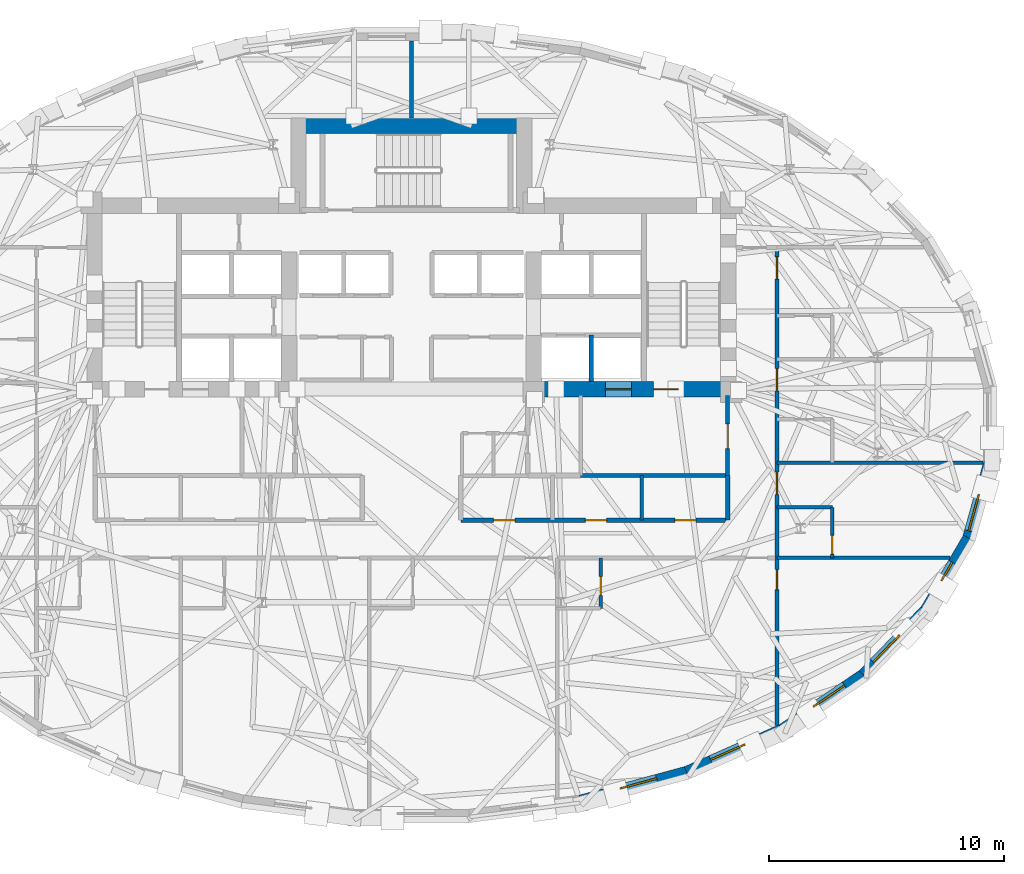
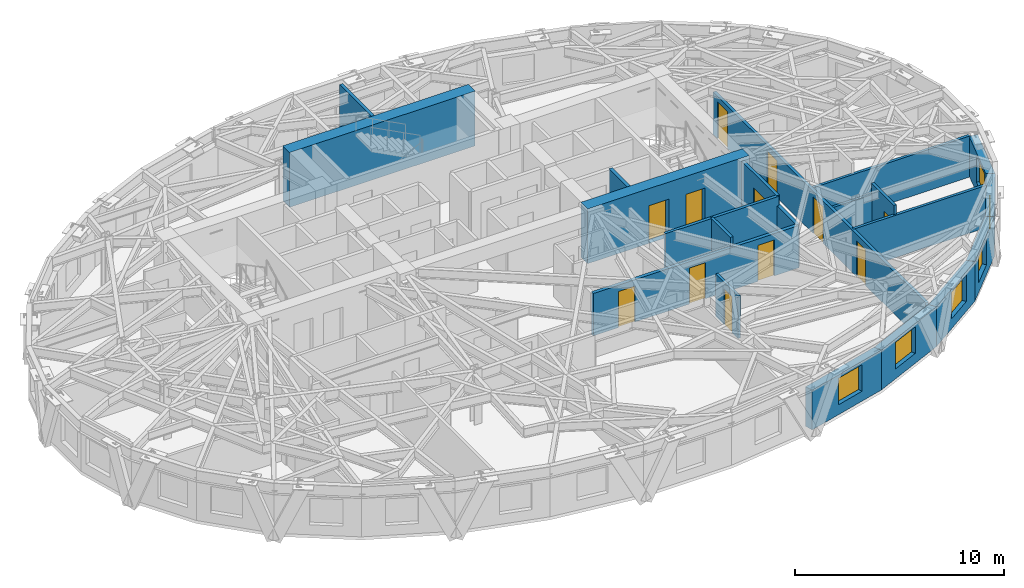
# One storey, part 9 of 15: 21 walls, 12 doors, 6 windows, 18 openings.
"""IFC4 building model written with IfcOpenShell, lengths in metres."""

from ifc_helpers import new_model, si_unit, direction, frame, frame_2d, origin, place, context, subcontext, project, spatial, rectangle, extrude, material, layer, layer_set, type_object, element, fill, save


model = new_model("IFC4")

# Units and contexts
model_context = context("Model", 3, precision=1e-05, world=origin(), true_north=direction((0.0, 1.0)))
body_context = subcontext(model_context, "Body", "Model", "MODEL_VIEW")
ifc_project = project(units=[si_unit("LENGTHUNIT", "METRE"), si_unit("AREAUNIT", "SQUARE_METRE"), si_unit("VOLUMEUNIT", "CUBIC_METRE"), si_unit("PLANEANGLEUNIT", "RADIAN"), si_unit("MASSUNIT", "GRAM", prefix="KILO")], contexts=[model_context])

# Site, building, storey
site_placement = place(None, origin())
site = spatial("IfcSite", under=ifc_project, at=site_placement, CompositionType="ELEMENT")
building_placement = place(site_placement, origin())
building = spatial("IfcBuilding", under=site, at=building_placement, Name="Keldmark Tower", CompositionType="ELEMENT")
storey_placement = place(building_placement, frame((0.0, 0.0, 166.199951171875)))
storey = spatial("IfcBuildingStorey", under=building, at=storey_placement, Name="L45", CompositionType="ELEMENT", Elevation=166.199951171875)

# Wall, openings, doors
ifc_material_1 = material(Name="Heavy Acoustic Plumbing Chase Gypsum Assembly", Category="gypsum")
ifc_layer_1 = layer(ifc_material_1, 0.18994140625)
ifc_layer_set_1 = layer_set([ifc_layer_1], Name="Heavy Acoustic Plumbing Chase Gypsum Assembly")
wall_type_1 = type_object("IfcWallType", Name="Heavy Wet Wall 190 mm", PredefinedType="PLUMBINGWALL", material=ifc_layer_set_1)
wall_1_placement = place(storey_placement, frame((2.10009765625, -4.050048828125, 0.0), z_axis=(0.0, 0.0, 1.0), x_axis=(1.0, 0.0, 0.0)))
wall_1 = element("IfcWall", 1, at=wall_1_placement, inside=storey, type_object=wall_type_1, Name="L45 Heavy Wet Wall 190 mm SPK-E-S", PredefinedType="PLUMBINGWALL", context=body_context, shape_type="SweptSolid", body=[
    extrude(rectangle(XDim=11.349853515625, YDim=0.18994140625, at=frame_2d((5.6748046875, 0.0))), origin(), (0.0, 0.0, 1.0), 2.47314453125),
])
opening_1_placement = place(wall_1_placement, frame((1.39990234375, 0.0, 0.0)))
opening_1 = element("IfcOpeningElement", 2, at=opening_1_placement, cuts=wall_1, Name="Opening D-IN090", PredefinedType="OPENING", context=body_context, shape_type="SweptSolid", body=[
    extrude(rectangle(XDim=0.89990234375, YDim=2.10009765625, at=frame_2d((0.449951171875, 1.050048828125))), frame((0.0, 0.10498046875, 0.0), z_axis=(0.0, -1.0, 0.0), x_axis=(1.0, 0.0, 0.0)), (0.0, 0.0, 1.0), 0.2099609375),
])
opening_2_placement = place(wall_1_placement, frame((5.300048828125, 0.0, 0.0)))
opening_2 = element("IfcOpeningElement", 3, at=opening_2_placement, cuts=wall_1, Name="Opening D-IN090", PredefinedType="OPENING", context=body_context, shape_type="SweptSolid", body=[
    extrude(rectangle(XDim=0.89990234375, YDim=2.10009765625, at=frame_2d((0.449951171875, 1.050048828125))), frame((0.0, 0.10498046875, 0.0), z_axis=(0.0, -1.0, 0.0), x_axis=(1.0, 0.0, 0.0)), (0.0, 0.0, 1.0), 0.2099609375),
])
opening_3_placement = place(wall_1_placement, frame((9.10009765625, 0.0, 0.0)))
opening_3 = element("IfcOpeningElement", 4, at=opening_3_placement, cuts=wall_1, Name="Opening D-IN090", PredefinedType="OPENING", context=body_context, shape_type="SweptSolid", body=[
    extrude(rectangle(XDim=0.89990234375, YDim=2.10009765625, at=frame_2d((0.449951171875, 1.050048828125))), frame((0.0, 0.10498046875, 0.0), z_axis=(0.0, -1.0, 0.0), x_axis=(1.0, 0.0, 0.0)), (0.0, 0.0, 1.0), 0.2099609375),
])
ifc_material_2 = material(Name="Stained American White Oak Veneer", Category="wood")
door_type_1 = type_object("IfcDoorType", Name="Interior Door 900x2100", OperationType="NOTDEFINED", PredefinedType="DOOR", material=ifc_material_2)
door_1_placement = place(opening_1_placement, origin())
door_1 = element("IfcDoor", 5, at=door_1_placement, inside=storey, type_object=door_type_1, Name="L45 Interior Door 900x2100 D-SPKE1-L45", OperationType="SINGLE_SWING_RIGHT", OverallHeight=2.10009765625, OverallWidth=0.89990234375, PredefinedType="DOOR", context=body_context, shape_type="SweptSolid", body=[
    extrude(rectangle(XDim=0.89990234375, YDim=2.10009765625, at=frame_2d((0.449951171875, 1.050048828125))), frame((0.0, 0.02490234375, 0.0), z_axis=(0.0, -1.0, 0.0), x_axis=(1.0, 0.0, 0.0)), (0.0, 0.0, 1.0), 0.050048828125),
])
fill(opening_1, door_1)
door_2_placement = place(opening_2_placement, origin())
door_2 = element("IfcDoor", 6, at=door_2_placement, inside=storey, type_object=door_type_1, Name="L45 Interior Door 900x2100 D-SPKE2-L45", OperationType="SINGLE_SWING_LEFT", OverallHeight=2.10009765625, OverallWidth=0.89990234375, PredefinedType="DOOR", context=body_context, shape_type="SweptSolid", body=[
    extrude(rectangle(XDim=0.89990234375, YDim=2.10009765625, at=frame_2d((0.449951171875, 1.050048828125))), frame((0.0, 0.02490234375, 0.0), z_axis=(0.0, -1.0, 0.0), x_axis=(1.0, 0.0, 0.0)), (0.0, 0.0, 1.0), 0.050048828125),
])
fill(opening_2, door_2)
door_3_placement = place(opening_3_placement, origin())
door_3 = element("IfcDoor", 7, at=door_3_placement, inside=storey, type_object=door_type_1, Name="L45 Interior Door 900x2100 D-SPKE3-L45", OperationType="SINGLE_SWING_RIGHT", OverallHeight=2.10009765625, OverallWidth=0.89990234375, PredefinedType="DOOR", context=body_context, shape_type="SweptSolid", body=[
    extrude(rectangle(XDim=0.89990234375, YDim=2.10009765625, at=frame_2d((0.449951171875, 1.050048828125))), frame((0.0, 0.02490234375, 0.0), z_axis=(0.0, -1.0, 0.0), x_axis=(1.0, 0.0, 0.0)), (0.0, 0.0, 1.0), 0.050048828125),
])
fill(opening_3, door_3)

# Walls
wall_2_placement = place(storey_placement, frame((13.449951171875, -4.050048828125, 0.0), z_axis=(0.0, 0.0, 1.0), x_axis=(0.0, 1.0, 0.0)))
element("IfcWall", 8, at=wall_2_placement, inside=storey, type_object=wall_type_1, Name="L45 Heavy Wet Wall 190 mm SPK-E-E", PredefinedType="PLUMBINGWALL", context=body_context, shape_type="SweptSolid", body=[
    extrude(rectangle(XDim=1.900146484375, YDim=0.18994140625, at=frame_2d((0.9501953125, 0.0))), origin(), (0.0, 0.0, 1.0), 2.47314453125),
])
ifc_material_3 = material(Name="Type X Fire-Rated Gypsum Partition Assembly", Category="gypsum")
ifc_layer_2 = layer(ifc_material_3, 0.1650390625)
ifc_layer_set_2 = layer_set([ifc_layer_2], Name="Type X Fire-Rated Gypsum Partition Assembly")
wall_type_2 = type_object("IfcWallType", Name="Rated Partition 165 mm", PredefinedType="PARTITIONING", material=ifc_layer_set_2)
wall_3_placement = place(storey_placement, frame((7.199951171875, -2.14990234375, 0.0), z_axis=(0.0, 0.0, 1.0), x_axis=(1.0, 0.0, 0.0)))
element("IfcWall", 9, at=wall_3_placement, inside=storey, type_object=wall_type_2, Name="L45 Rated Partition 165 mm FSAE-E-S", PredefinedType="PARTITIONING", context=body_context, shape_type="SweptSolid", body=[
    extrude(rectangle(XDim=6.25, YDim=0.1650390625, at=frame_2d((3.125, 0.0))), origin(), (0.0, 0.0, 1.0), 3.02001953125),
])

# Wall, opening, door
wall_4_placement = place(storey_placement, frame((13.449951171875, -2.14990234375, 0.0), z_axis=(0.0, 0.0, 1.0), x_axis=(0.0, 1.0, 0.0)))
wall_4 = element("IfcWall", 10, at=wall_4_placement, inside=storey, type_object=wall_type_2, Name="L45 Rated Partition 165 mm FSAE-E-E", PredefinedType="PARTITIONING", context=body_context, shape_type="SweptSolid", body=[
    extrude(rectangle(XDim=3.39990234375, YDim=0.1650390625, at=frame_2d((1.699951171875, 0.0))), origin(), (0.0, 0.0, 1.0), 3.02001953125),
])
opening_4_placement = place(wall_4_placement, frame((1.14990234375, 0.0, 0.0)))
opening_4 = element("IfcOpeningElement", 11, at=opening_4_placement, cuts=wall_4, Name="Opening D-FL105", PredefinedType="OPENING", context=body_context, shape_type="SweptSolid", body=[
    extrude(rectangle(XDim=1.050048828125, YDim=2.14990234375, at=frame_2d((0.52490234375, 1.074951171875))), frame((0.0, 0.092529296875, 0.0), z_axis=(0.0, -1.0, 0.0), x_axis=(1.0, 0.0, 0.0)), (0.0, 0.0, 1.0), 0.18505859375),
])
ifc_material_4 = material(Name="Fire-Rated Mineral-Core Door and Vision Lite", Category="metal")
door_type_2 = type_object("IfcDoorType", Name="Fire Lobby Door 1050x2150", OperationType="NOTDEFINED", PredefinedType="DOOR", material=ifc_material_4)
door_4_placement = place(opening_4_placement, origin())
door_4 = element("IfcDoor", 12, at=door_4_placement, inside=storey, type_object=door_type_2, Name="L45 Fire Lobby Door 1050x2150 D-FSAEE-OUT-L45", OperationType="SINGLE_SWING_LEFT", OverallHeight=2.14990234375, OverallWidth=1.050048828125, PredefinedType="DOOR", context=body_context, shape_type="SweptSolid", body=[
    extrude(rectangle(XDim=1.050048828125, YDim=2.14990234375, at=frame_2d((0.52490234375, 1.074951171875))), frame((0.0, 0.02490234375, 0.0), z_axis=(0.0, -1.0, 0.0), x_axis=(1.0, 0.0, 0.0)), (0.0, 0.0, 1.0), 0.050048828125),
])
fill(opening_4, door_4)

# Wall, openings, doors
wall_5_placement = place(storey_placement, frame((15.550048828125, -12.77294921875, 0.0), z_axis=(0.0, 0.0, 1.0), x_axis=(0.0, 1.0, 0.0)))
wall_5 = element("IfcWall", 13, at=wall_5_placement, inside=storey, type_object=wall_type_2, Name="L45 Rated Partition 165 mm HCOR-E", PredefinedType="PARTITIONING", context=body_context, shape_type="SweptSolid", body=[
    extrude(rectangle(XDim=20.322998046875, YDim=0.1650390625, at=frame_2d((10.16162109375, 0.0))), origin(), (0.0, 0.0, 1.0), 2.47314453125),
])
opening_5_placement = place(wall_5_placement, frame((5.773193359375, 0.0, 0.0)))
opening_5 = element("IfcOpeningElement", 14, at=opening_5_placement, cuts=wall_5, Name="Opening D-IN085", PredefinedType="OPENING", context=body_context, shape_type="SweptSolid", body=[
    extrude(rectangle(XDim=0.85009765625, YDim=2.10009765625, at=frame_2d((0.425048828125, 1.050048828125))), frame((0.0, 0.092529296875, 0.0), z_axis=(0.0, -1.0, 0.0), x_axis=(1.0, 0.0, 0.0)), (0.0, 0.0, 1.0), 0.18505859375),
])
opening_6_placement = place(wall_5_placement, frame((9.8232421875, 0.0, 0.0)))
opening_6 = element("IfcOpeningElement", 15, at=opening_6_placement, cuts=wall_5, Name="Opening D-HT095", PredefinedType="OPENING", context=body_context, shape_type="SweptSolid", body=[
    extrude(rectangle(XDim=0.949951171875, YDim=2.14990234375, at=frame_2d((0.47509765625, 1.074951171875))), frame((0.0, 0.092529296875, 0.0), z_axis=(0.0, -1.0, 0.0), x_axis=(1.0, 0.0, 0.0)), (0.0, 0.0, 1.0), 0.18505859375),
])
opening_7_placement = place(wall_5_placement, frame((14.22314453125, 0.0, 0.0)))
opening_7 = element("IfcOpeningElement", 16, at=opening_7_placement, cuts=wall_5, Name="Opening D-HT095", PredefinedType="OPENING", context=body_context, shape_type="SweptSolid", body=[
    extrude(rectangle(XDim=0.949951171875, YDim=2.14990234375, at=frame_2d((0.47509765625, 1.074951171875))), frame((0.0, 0.092529296875, 0.0), z_axis=(0.0, -1.0, 0.0), x_axis=(1.0, 0.0, 0.0)), (0.0, 0.0, 1.0), 0.18505859375),
])
opening_8_placement = place(wall_5_placement, frame((18.97314453125, 0.0, 0.0)))
opening_8 = element("IfcOpeningElement", 17, at=opening_8_placement, cuts=wall_5, Name="Opening D-HT095", PredefinedType="OPENING", context=body_context, shape_type="SweptSolid", body=[
    extrude(rectangle(XDim=0.949951171875, YDim=2.14990234375, at=frame_2d((0.47509765625, 1.074951171875))), frame((0.0, 0.092529296875, 0.0), z_axis=(0.0, -1.0, 0.0), x_axis=(1.0, 0.0, 0.0)), (0.0, 0.0, 1.0), 0.18505859375),
])
ifc_material_5 = material(Name="Solid-Core Acoustic White Oak Fire-Rated Assembly", Category="wood")
door_type_3 = type_object("IfcDoorType", Name="Hotel Entry Door 950x2150", OperationType="NOTDEFINED", PredefinedType="DOOR", material=ifc_material_5)
door_5_placement = place(opening_6_placement, origin())
door_5 = element("IfcDoor", 18, at=door_5_placement, inside=storey, type_object=door_type_3, Name="L45 Hotel Entry Door 950x2150 D-HR-7-L45", OperationType="SINGLE_SWING_LEFT", OverallHeight=2.14990234375, OverallWidth=0.949951171875, PredefinedType="DOOR", context=body_context, shape_type="SweptSolid", body=[
    extrude(rectangle(XDim=0.949951171875, YDim=2.14990234375, at=frame_2d((0.47509765625, 1.074951171875))), frame((0.0, 0.02490234375, 0.0), z_axis=(0.0, -1.0, 0.0), x_axis=(1.0, 0.0, 0.0)), (0.0, 0.0, 1.0), 0.050048828125),
])
fill(opening_6, door_5)
door_6_placement = place(opening_7_placement, origin())
door_6 = element("IfcDoor", 19, at=door_6_placement, inside=storey, type_object=door_type_3, Name="L45 Hotel Entry Door 950x2150 D-HR-8-L45", OperationType="SINGLE_SWING_LEFT", OverallHeight=2.14990234375, OverallWidth=0.949951171875, PredefinedType="DOOR", context=body_context, shape_type="SweptSolid", body=[
    extrude(rectangle(XDim=0.949951171875, YDim=2.14990234375, at=frame_2d((0.47509765625, 1.074951171875))), frame((0.0, 0.02490234375, 0.0), z_axis=(0.0, -1.0, 0.0), x_axis=(1.0, 0.0, 0.0)), (0.0, 0.0, 1.0), 0.050048828125),
])
fill(opening_7, door_6)
door_7_placement = place(opening_8_placement, origin())
door_7 = element("IfcDoor", 20, at=door_7_placement, inside=storey, type_object=door_type_3, Name="L45 Hotel Entry Door 950x2150 D-HR-9-L45", OperationType="SINGLE_SWING_LEFT", OverallHeight=2.14990234375, OverallWidth=0.949951171875, PredefinedType="DOOR", context=body_context, shape_type="SweptSolid", body=[
    extrude(rectangle(XDim=0.949951171875, YDim=2.14990234375, at=frame_2d((0.47509765625, 1.074951171875))), frame((0.0, 0.02490234375, 0.0), z_axis=(0.0, -1.0, 0.0), x_axis=(1.0, 0.0, 0.0)), (0.0, 0.0, 1.0), 0.050048828125),
])
fill(opening_8, door_7)
ifc_material_6 = material(Name="Painted Architectural Wood", Category="wood")
door_type_4 = type_object("IfcDoorType", Name="Interior Door 850x2100", OperationType="NOTDEFINED", PredefinedType="DOOR", material=ifc_material_6)
door_8_placement = place(opening_5_placement, origin())
door_8 = element("IfcDoor", 21, at=door_8_placement, inside=storey, type_object=door_type_4, Name="L45 Interior Door 850x2100 D-HKSE-L45", OperationType="SINGLE_SWING_RIGHT", OverallHeight=2.10009765625, OverallWidth=0.85009765625, PredefinedType="DOOR", context=body_context, shape_type="SweptSolid", body=[
    extrude(rectangle(XDim=0.85009765625, YDim=2.10009765625, at=frame_2d((0.425048828125, 1.050048828125))), frame((0.0, 0.02490234375, 0.0), z_axis=(0.0, -1.0, 0.0), x_axis=(1.0, 0.0, 0.0)), (0.0, 0.0, 1.0), 0.050048828125),
])
fill(opening_5, door_8)

# Walls
wall_6_placement = place(storey_placement, frame((0.0, 13.050048828125, 0.0), z_axis=(0.0, 0.0, 1.0), x_axis=(0.0, 1.0, 0.0)))
element("IfcWall", 22, at=wall_6_placement, inside=storey, type_object=wall_type_2, Name="L45 Rated Partition 165 mm HN-DIV", PredefinedType="PARTITIONING", context=body_context, shape_type="SweptSolid", body=[
    extrude(rectangle(XDim=3.2900390625, YDim=0.1650390625, at=frame_2d((1.64501953125, 0.0))), origin(), (0.0, 0.0, 1.0), 3.02001953125),
])
ifc_material_7 = material(Name="Fire-Resistant Type X Gypsum Shaftliner Coreboard", Category="gypsum")
ifc_layer_3 = layer(ifc_material_7, 0.199951171875)
ifc_layer_set_3 = layer_set([ifc_layer_3], Name="Fire-Resistant Type X Gypsum Shaftliner Coreboard")
wall_type_3 = type_object("IfcWallType", Name="Shaft Wall 200 mm", PredefinedType="SOLIDWALL", material=ifc_layer_set_3)
wall_7_placement = place(storey_placement, frame((7.64990234375, 1.85009765625, 0.0), z_axis=(0.0, 0.0, 1.0), x_axis=(0.0, 1.0, 0.0)))
element("IfcWall", 23, at=wall_7_placement, inside=storey, type_object=wall_type_3, Name="L45 Shaft Wall 200 mm HW-E-M", PredefinedType="SOLIDWALL", context=body_context, shape_type="SweptSolid", body=[
    extrude(rectangle(XDim=1.969970703125, YDim=0.199951171875, at=frame_2d((0.98486328125, 0.0))), origin(), (0.0, 0.0, 1.0), 3.02001953125),
])

# Wall, opening, window
ifc_material_8 = material(Name="Ironspot Manganese Brick and Kasota Buff Limestone Spandrel Assembly", Category="masonry")
ifc_layer_4 = layer(ifc_material_8, 0.43994140625)
ifc_layer_set_4 = layer_set([ifc_layer_4], Name="Ironspot Manganese Brick and Kasota Buff Limestone Spandrel Assembly")
wall_type_4 = type_object("IfcWallType", Name="Tower Brick Pier and Spandrel Wall 440 mm", PredefinedType="STANDARD", material=ifc_layer_set_4)
wall_8_placement = place(storey_placement, frame((11.72119140625, -14.725830078125, 0.0), z_axis=(0.0, 0.0, 1.0), x_axis=(-0.965037424263, -0.262112132058, 0.0)))
wall_8 = element("IfcWall", 24, at=wall_8_placement, inside=storey, type_object=wall_type_4, Name="L45 Exterior Brick and Spandrel Wall 26", PredefinedType="STANDARD", context=body_context, shape_type="SweptSolid", body=[
    extrude(rectangle(XDim=4.70654296875, YDim=0.43994140625, at=frame_2d((2.353271484375, 0.0))), origin(), (0.0, 0.0, 1.0), 2.31494140625),
])
opening_9_placement = place(wall_8_placement, frame((1.331787109375, 0.0, 0.580078125)))
opening_9 = element("IfcOpeningElement", 25, at=opening_9_placement, cuts=wall_8, Name="Opening W-04", PredefinedType="OPENING", context=body_context, shape_type="SweptSolid", body=[
    extrude(rectangle(XDim=1.60009765625, YDim=1.550048828125, at=frame_2d((0.800048828125, 0.77490234375))), frame((0.0, 0.22998046875, 0.0), z_axis=(0.0, -1.0, 0.0), x_axis=(1.0, 0.0, 0.0)), (0.0, 0.0, 1.0), 0.4599609375),
])
ifc_material_9 = material(Name="Thermally Broken Anodized Aluminum and Triple Low-E Argon Glazing", Category="aluminium")
window_type_1 = type_object("IfcWindowType", Name="Hotel Deep-Set Operable Window 1600x1550", PartitioningType="DOUBLE_PANEL_HORIZONTAL", PredefinedType="WINDOW", material=ifc_material_9)
window_1_placement = place(opening_9_placement, origin())
window_1 = element("IfcWindow", 26, at=window_1_placement, inside=storey, type_object=window_type_1, Name="L45 Deep-Set Window 26", OverallHeight=1.550048828125, OverallWidth=1.60009765625, PartitioningType="SINGLE_PANEL", PredefinedType="WINDOW", context=body_context, shape_type="SweptSolid", body=[
    extrude(rectangle(XDim=1.60009765625, YDim=1.550048828125, at=frame_2d((0.800048828125, 0.77490234375))), frame((0.0, -0.010009765625, 0.0), z_axis=(0.0, -1.0, 0.0), x_axis=(1.0, 0.0, 0.0)), (0.0, 0.0, 1.0), 0.06005859375),
])
fill(opening_9, window_1)

wall_9_placement = place(storey_placement, frame((15.790771484375, -12.91552734375, 0.0), z_axis=(0.0, 0.0, 1.0), x_axis=(-0.913907994914, -0.405921392431, 0.0)))
wall_9 = element("IfcWall", 27, at=wall_9_placement, inside=storey, type_object=wall_type_4, Name="L45 Exterior Brick and Spandrel Wall 27", PredefinedType="STANDARD", context=body_context, shape_type="SweptSolid", body=[
    extrude(rectangle(XDim=4.4873046875, YDim=0.43994140625, at=frame_2d((2.24365234375, 0.0))), origin(), (0.0, 0.0, 1.0), 2.31494140625),
])
opening_10_placement = place(wall_9_placement, frame((1.7421875, 0.0, 0.580078125)))
opening_10 = element("IfcOpeningElement", 28, at=opening_10_placement, cuts=wall_9, Name="Opening W-04", PredefinedType="OPENING", context=body_context, shape_type="SweptSolid", body=[
    extrude(rectangle(XDim=1.60009765625, YDim=1.550048828125, at=frame_2d((0.800048828125, 0.77490234375))), frame((0.0, 0.22998046875, 0.0), z_axis=(0.0, -1.0, 0.0), x_axis=(1.0, 0.0, 0.0)), (0.0, 0.0, 1.0), 0.4599609375),
])
window_2_placement = place(opening_10_placement, origin())
window_2 = element("IfcWindow", 29, at=window_2_placement, inside=storey, type_object=window_type_1, Name="L45 Deep-Set Window 27", OverallHeight=1.550048828125, OverallWidth=1.60009765625, PartitioningType="SINGLE_PANEL", PredefinedType="WINDOW", context=body_context, shape_type="SweptSolid", body=[
    extrude(rectangle(XDim=1.60009765625, YDim=1.550048828125, at=frame_2d((0.800048828125, 0.77490234375))), frame((0.0, -0.010009765625, 0.0), z_axis=(0.0, -1.0, 0.0), x_axis=(1.0, 0.0, 0.0)), (0.0, 0.0, 1.0), 0.06005859375),
])
fill(opening_10, window_2)

wall_10_placement = place(storey_placement, frame((19.2265625, -10.58251953125, 0.0), z_axis=(0.0, 0.0, 1.0), x_axis=(-0.827760762475, -0.561081206338, 0.0)))
wall_10 = element("IfcWall", 30, at=wall_10_placement, inside=storey, type_object=wall_type_4, Name="L45 Exterior Brick and Spandrel Wall 28", PredefinedType="STANDARD", context=body_context, shape_type="SweptSolid", body=[
    extrude(rectangle(XDim=4.19189453125, YDim=0.43994140625, at=frame_2d((2.095947265625, 0.0))), origin(), (0.0, 0.0, 1.0), 2.31494140625),
])
opening_11_placement = place(wall_10_placement, frame((0.947265625, 0.0, 0.580078125)))
opening_11 = element("IfcOpeningElement", 31, at=opening_11_placement, cuts=wall_10, Name="Opening W-04", PredefinedType="OPENING", context=body_context, shape_type="SweptSolid", body=[
    extrude(rectangle(XDim=1.60009765625, YDim=1.550048828125, at=frame_2d((0.800048828125, 0.77490234375))), frame((0.0, 0.22998046875, 0.0), z_axis=(0.0, -1.0, 0.0), x_axis=(1.0, 0.0, 0.0)), (0.0, 0.0, 1.0), 0.4599609375),
])
window_3_placement = place(opening_11_placement, origin())
window_3 = element("IfcWindow", 32, at=window_3_placement, inside=storey, type_object=window_type_1, Name="L45 Deep-Set Window 28", OverallHeight=1.550048828125, OverallWidth=1.60009765625, PartitioningType="SINGLE_PANEL", PredefinedType="WINDOW", context=body_context, shape_type="SweptSolid", body=[
    extrude(rectangle(XDim=1.60009765625, YDim=1.550048828125, at=frame_2d((0.800048828125, 0.77490234375))), frame((0.0, -0.010009765625, 0.0), z_axis=(0.0, -1.0, 0.0), x_axis=(1.0, 0.0, 0.0)), (0.0, 0.0, 1.0), 0.06005859375),
])
fill(opening_11, window_3)

wall_11_placement = place(storey_placement, frame((21.878662109375, -7.831787109375, 0.0), z_axis=(0.0, 0.0, 1.0), x_axis=(-0.694975307772, -0.719033602544, 0.0)))
wall_11 = element("IfcWall", 33, at=wall_11_placement, inside=storey, type_object=wall_type_4, Name="L45 Exterior Brick and Spandrel Wall 29", PredefinedType="STANDARD", context=body_context, shape_type="SweptSolid", body=[
    extrude(rectangle(XDim=3.866455078125, YDim=0.43994140625, at=frame_2d((1.93310546875, 0.0))), origin(), (0.0, 0.0, 1.0), 2.31494140625),
])
opening_12_placement = place(wall_11_placement, frame((1.5751953125, 0.0, 0.580078125)))
opening_12 = element("IfcOpeningElement", 34, at=opening_12_placement, cuts=wall_11, Name="Opening W-04", PredefinedType="OPENING", context=body_context, shape_type="SweptSolid", body=[
    extrude(rectangle(XDim=1.60009765625, YDim=1.550048828125, at=frame_2d((0.800048828125, 0.77490234375))), frame((0.0, 0.22998046875, 0.0), z_axis=(0.0, -1.0, 0.0), x_axis=(1.0, 0.0, 0.0)), (0.0, 0.0, 1.0), 0.4599609375),
])
window_4_placement = place(opening_12_placement, origin())
window_4 = element("IfcWindow", 35, at=window_4_placement, inside=storey, type_object=window_type_1, Name="L45 Deep-Set Window 29", OverallHeight=1.550048828125, OverallWidth=1.60009765625, PartitioningType="SINGLE_PANEL", PredefinedType="WINDOW", context=body_context, shape_type="SweptSolid", body=[
    extrude(rectangle(XDim=1.60009765625, YDim=1.550048828125, at=frame_2d((0.800048828125, 0.77490234375))), frame((0.0, -0.010009765625, 0.0), z_axis=(0.0, -1.0, 0.0), x_axis=(1.0, 0.0, 0.0)), (0.0, 0.0, 1.0), 0.06005859375),
])
fill(opening_12, window_4)

wall_12_placement = place(storey_placement, frame((23.66748046875, -4.793701171875, 0.0), z_axis=(0.0, 0.0, 1.0), x_axis=(-0.508883387051, -0.860835465338, 0.0)))
wall_12 = element("IfcWall", 36, at=wall_12_placement, inside=storey, type_object=wall_type_4, Name="L45 Exterior Brick and Spandrel Wall 30", PredefinedType="STANDARD", context=body_context, shape_type="SweptSolid", body=[
    extrude(rectangle(XDim=3.57666015625, YDim=0.43994140625, at=frame_2d((1.788330078125, 0.0))), origin(), (0.0, 0.0, 1.0), 2.31494140625),
])
opening_13_placement = place(wall_12_placement, frame((1.2392578125, 0.0, 0.580078125)))
opening_13 = element("IfcOpeningElement", 37, at=opening_13_placement, cuts=wall_12, Name="Opening W-09", PredefinedType="OPENING", context=body_context, shape_type="SweptSolid", body=[
    extrude(rectangle(XDim=0.89990234375, YDim=1.35009765625, at=frame_2d((0.449951171875, 0.675048828125))), frame((0.0, 0.22998046875, 0.0), z_axis=(0.0, -1.0, 0.0), x_axis=(1.0, 0.0, 0.0)), (0.0, 0.0, 1.0), 0.4599609375),
])
ifc_material_10 = material(Name="Thermally Broken Anodized Aluminum and Triple Low-E Argon Glazing", Category="aluminium")
window_type_2 = type_object("IfcWindowType", Name="Corner Pier Deep-Set Window 900x1350", PartitioningType="SINGLE_PANEL", PredefinedType="WINDOW", material=ifc_material_10)
window_5_placement = place(opening_13_placement, origin())
window_5 = element("IfcWindow", 38, at=window_5_placement, inside=storey, type_object=window_type_2, Name="L45 Deep-Set Window 30", OverallHeight=1.35009765625, OverallWidth=0.89990234375, PartitioningType="SINGLE_PANEL", PredefinedType="WINDOW", context=body_context, shape_type="SweptSolid", body=[
    extrude(rectangle(XDim=0.89990234375, YDim=1.35009765625, at=frame_2d((0.449951171875, 0.675048828125))), frame((0.0, -0.010009765625, 0.0), z_axis=(0.0, -1.0, 0.0), x_axis=(1.0, 0.0, 0.0)), (0.0, 0.0, 1.0), 0.06005859375),
])
fill(opening_13, window_5)

wall_13_placement = place(storey_placement, frame((24.55419921875, -1.59423828125, 0.0), z_axis=(0.0, 0.0, 1.0), x_axis=(-0.269235699479, -0.963074315993, 0.0)))
wall_13 = element("IfcWall", 39, at=wall_13_placement, inside=storey, type_object=wall_type_4, Name="L45 Exterior Brick and Spandrel Wall 31", PredefinedType="STANDARD", context=body_context, shape_type="SweptSolid", body=[
    extrude(rectangle(XDim=3.376953125, YDim=0.43994140625, at=frame_2d((1.6884765625, 0.0))), origin(), (0.0, 0.0, 1.0), 2.31494140625),
])
opening_14_placement = place(wall_13_placement, frame((1.429443359375, 0.0, 0.580078125)))
opening_14 = element("IfcOpeningElement", 40, at=opening_14_placement, cuts=wall_13, Name="Opening W-04", PredefinedType="OPENING", context=body_context, shape_type="SweptSolid", body=[
    extrude(rectangle(XDim=1.60009765625, YDim=1.550048828125, at=frame_2d((0.800048828125, 0.77490234375))), frame((0.0, 0.22998046875, 0.0), z_axis=(0.0, -1.0, 0.0), x_axis=(1.0, 0.0, 0.0)), (0.0, 0.0, 1.0), 0.4599609375),
])
window_6_placement = place(opening_14_placement, origin())
window_6 = element("IfcWindow", 41, at=window_6_placement, inside=storey, type_object=window_type_1, Name="L45 Deep-Set Window 31", OverallHeight=1.550048828125, OverallWidth=1.60009765625, PartitioningType="SINGLE_PANEL", PredefinedType="WINDOW", context=body_context, shape_type="SweptSolid", body=[
    extrude(rectangle(XDim=1.60009765625, YDim=1.550048828125, at=frame_2d((0.800048828125, 0.77490234375))), frame((0.0, -0.010009765625, 0.0), z_axis=(0.0, -1.0, 0.0), x_axis=(1.0, 0.0, 0.0)), (0.0, 0.0, 1.0), 0.06005859375),
])
fill(opening_14, window_6)

# Wall, openings, doors
ifc_material_11 = material(Name="Concrete C50/60", Category="concrete")
ifc_layer_5 = layer(ifc_material_11, 0.64990234375)
ifc_layer_set_5 = layer_set([ifc_layer_5], Name="Concrete C50/60")
wall_type_5 = type_object("IfcWallType", Name="Upper-Mid Core Shear Wall 650 mm", PredefinedType="SHEAR", material=ifc_layer_set_5)
wall_14_placement = place(storey_placement, frame((13.800048828125, 1.52490234375, 0.0), z_axis=(0.0, 0.0, 1.0), x_axis=(-1.0, 0.0, 0.0)))
wall_14 = element("IfcWall", 42, at=wall_14_placement, inside=storey, type_object=wall_type_5, Name="L45 East Core South Shear Wall", PredefinedType="SHEAR", context=body_context, shape_type="SweptSolid", body=[
    extrude(rectangle(XDim=8.925048828125, YDim=0.64990234375, at=frame_2d((4.46240234375, 0.0))), origin(), (0.0, 0.0, 1.0), 3.199951171875),
])
opening_15_placement = place(wall_14_placement, frame((2.449951171875, 0.0, 0.0)))
opening_15 = element("IfcOpeningElement", 43, at=opening_15_placement, cuts=wall_14, Name="Opening D-ST105", PredefinedType="OPENING", context=body_context, shape_type="SweptSolid", body=[
    extrude(rectangle(XDim=1.050048828125, YDim=2.14990234375, at=frame_2d((0.52490234375, 1.074951171875))), frame((0.0, 0.3349609375, 0.0), z_axis=(0.0, -1.0, 0.0), x_axis=(1.0, 0.0, 0.0)), (0.0, 0.0, 1.0), 0.669921875),
])
opening_16_placement = place(wall_14_placement, frame((4.449951171875, 0.0, 0.0)))
opening_16 = element("IfcOpeningElement", 44, at=opening_16_placement, cuts=wall_14, Name="Opening LD-110", PredefinedType="OPENING", context=body_context, shape_type="SweptSolid", body=[
    extrude(rectangle(XDim=1.10009765625, YDim=2.199951171875, at=frame_2d((0.550048828125, 1.10009765625))), frame((0.0, 0.3349609375, 0.0), z_axis=(0.0, -1.0, 0.0), x_axis=(1.0, 0.0, 0.0)), (0.0, 0.0, 1.0), 0.669921875),
])
ifc_material_12 = material(Name="Brushed Bronze Hoistway Sliding Leaf", Category="metal")
door_type_5 = type_object("IfcDoorType", Name="Lift Landing Sliding Door 1100x2200", OperationType="SLIDING_TO_LEFT", PredefinedType="DOOR", material=ifc_material_12)
door_9_placement = place(opening_16_placement, origin())
door_9 = element("IfcDoor", 45, at=door_9_placement, inside=storey, type_object=door_type_5, Name="L45 Lift Landing Sliding Door 1100x2200 LD-EL-FS2-L45", OperationType="SLIDING_TO_LEFT", OverallHeight=2.199951171875, OverallWidth=1.10009765625, PredefinedType="DOOR", context=body_context, shape_type="SweptSolid", body=[
    extrude(rectangle(XDim=1.10009765625, YDim=2.199951171875, at=frame_2d((0.550048828125, 1.10009765625))), frame((0.0, 0.02490234375, 0.0), z_axis=(0.0, -1.0, 0.0), x_axis=(1.0, 0.0, 0.0)), (0.0, 0.0, 1.0), 0.050048828125),
])
fill(opening_16, door_9)
ifc_material_13 = material(Name="Hollow Metal Fire-Rated Door Assembly", Category="metal")
door_type_6 = type_object("IfcDoorType", Name="Stair Fire Door 1050x2150", OperationType="NOTDEFINED", PredefinedType="DOOR", material=ifc_material_13)
door_10_placement = place(opening_15_placement, origin())
door_10 = element("IfcDoor", 46, at=door_10_placement, inside=storey, type_object=door_type_6, Name="L45 Stair Fire Door 1050x2150 D-ST2-L45", OperationType="SINGLE_SWING_LEFT", OverallHeight=2.14990234375, OverallWidth=1.050048828125, PredefinedType="DOOR", context=body_context, shape_type="SweptSolid", body=[
    extrude(rectangle(XDim=1.050048828125, YDim=2.14990234375, at=frame_2d((0.52490234375, 1.074951171875))), frame((0.0, 0.02490234375, 0.0), z_axis=(0.0, -1.0, 0.0), x_axis=(1.0, 0.0, 0.0)), (0.0, 0.0, 1.0), 0.050048828125),
])
fill(opening_15, door_10)

# Walls
wall_15_placement = place(storey_placement, frame((-5.125, 12.72509765625, 0.0), z_axis=(0.0, 0.0, 1.0), x_axis=(1.0, 0.0, 0.0)))
element("IfcWall", 47, at=wall_15_placement, inside=storey, type_object=wall_type_5, Name="L45 North Core Shear Wall", PredefinedType="SHEAR", context=body_context, shape_type="SweptSolid", body=[
    extrude(rectangle(XDim=10.25, YDim=0.64990234375, at=frame_2d((5.125, 0.0))), origin(), (0.0, 0.0, 1.0), 3.199951171875),
])
ifc_material_14 = material(Name="Moisture-Resistant Gypsum Plumbing Partition", Category="gypsum")
ifc_layer_6 = layer(ifc_material_14, 0.14990234375)
ifc_layer_set_6 = layer_set([ifc_layer_6], Name="Moisture-Resistant Gypsum Plumbing Partition")
wall_type_6 = type_object("IfcWallType", Name="Wet Wall 150 mm", PredefinedType="PLUMBINGWALL", material=ifc_layer_set_6)
wall_16_placement = place(storey_placement, frame((9.800048828125, -4.050048828125, 0.0), z_axis=(0.0, 0.0, 1.0), x_axis=(0.0, 1.0, 0.0)))
element("IfcWall", 48, at=wall_16_placement, inside=storey, type_object=wall_type_6, Name="L45 Wet Wall 150 mm SPK-E-D2", PredefinedType="PLUMBINGWALL", context=body_context, shape_type="SweptSolid", body=[
    extrude(rectangle(XDim=1.900146484375, YDim=0.14990234375, at=frame_2d((0.9501953125, 0.0))), origin(), (0.0, 0.0, 1.0), 3.02001953125),
])
wall_17_placement = place(storey_placement, frame((15.550048828125, -5.64990234375, 0.0), z_axis=(0.0, 0.0, 1.0), x_axis=(1.0, 0.0, 0.0)))
element("IfcWall", 49, at=wall_17_placement, inside=storey, type_object=wall_type_6, Name="L45 Wet Wall 150 mm HE-CAP-S", PredefinedType="PLUMBINGWALL", context=body_context, shape_type="SweptSolid", body=[
    extrude(rectangle(XDim=7.346435546875, YDim=0.14990234375, at=frame_2d((3.67333984375, 0.0))), origin(), (0.0, 0.0, 1.0), 2.47314453125),
])

# Wall, opening, door
wall_18_placement = place(storey_placement, frame((8.050048828125, -7.800048828125, 0.0), z_axis=(0.0, 0.0, 1.0), x_axis=(0.0, 1.0, 0.0)))
wall_18 = element("IfcWall", 50, at=wall_18_placement, inside=storey, type_object=wall_type_6, Name="L45 Wet Wall 150 mm HB-S4-E", PredefinedType="PLUMBINGWALL", context=body_context, shape_type="SweptSolid", body=[
    extrude(rectangle(XDim=2.150146484375, YDim=0.14990234375, at=frame_2d((1.0751953125, 0.0))), origin(), (0.0, 0.0, 1.0), 2.47314453125),
])
opening_17_placement = place(wall_18_placement, frame((0.550048828125, 0.0, 0.0)))
opening_17 = element("IfcOpeningElement", 51, at=opening_17_placement, cuts=wall_18, Name="Opening D-BT080", PredefinedType="OPENING", context=body_context, shape_type="SweptSolid", body=[
    extrude(rectangle(XDim=0.800048828125, YDim=2.10009765625, at=frame_2d((0.39990234375, 1.050048828125))), frame((0.0, 0.0849609375, 0.0), z_axis=(0.0, -1.0, 0.0), x_axis=(1.0, 0.0, 0.0)), (0.0, 0.0, 1.0), 0.169921875),
])
ifc_material_15 = material(Name="Moisture-Sealed Stained Wood", Category="wood")
door_type_7 = type_object("IfcDoorType", Name="Bathroom Door 800x2100", OperationType="NOTDEFINED", PredefinedType="DOOR", material=ifc_material_15)
door_11_placement = place(opening_17_placement, origin())
door_11 = element("IfcDoor", 52, at=door_11_placement, inside=storey, type_object=door_type_7, Name="L45 Bathroom Door 800x2100 D-HBS4-L45", OperationType="SINGLE_SWING_RIGHT", OverallHeight=2.10009765625, OverallWidth=0.800048828125, PredefinedType="DOOR", context=body_context, shape_type="SweptSolid", body=[
    extrude(rectangle(XDim=0.800048828125, YDim=2.10009765625, at=frame_2d((0.39990234375, 1.050048828125))), frame((0.0, 0.02490234375, 0.0), z_axis=(0.0, -1.0, 0.0), x_axis=(1.0, 0.0, 0.0)), (0.0, 0.0, 1.0), 0.050048828125),
])
fill(opening_17, door_11)

# Walls
wall_19_placement = place(storey_placement, frame((15.550048828125, -1.60009765625, 0.0), z_axis=(0.0, 0.0, 1.0), x_axis=(1.0, 0.0, 0.0)))
element("IfcWall", 53, at=wall_19_placement, inside=storey, type_object=wall_type_6, Name="L45 Wet Wall 150 mm HE-DIV-1", PredefinedType="PLUMBINGWALL", context=body_context, shape_type="SweptSolid", body=[
    extrude(rectangle(XDim=8.765869140625, YDim=0.14990234375, at=frame_2d((4.3828125, 0.0))), origin(), (0.0, 0.0, 1.0), 2.39794921875),
])
wall_20_placement = place(storey_placement, frame((15.550048828125, -3.5, 0.0), z_axis=(0.0, 0.0, 1.0), x_axis=(1.0, 0.0, 0.0)))
element("IfcWall", 54, at=wall_20_placement, inside=storey, type_object=wall_type_6, Name="L45 Wet Wall 150 mm HB-7-N", PredefinedType="PLUMBINGWALL", context=body_context, shape_type="SweptSolid", body=[
    extrude(rectangle(XDim=2.349853515625, YDim=0.14990234375, at=frame_2d((1.1748046875, 0.0))), origin(), (0.0, 0.0, 1.0), 2.39794921875),
])

# Wall, opening, door
wall_21_placement = place(storey_placement, frame((17.89990234375, -5.64990234375, 0.0), z_axis=(0.0, 0.0, 1.0), x_axis=(0.0, 1.0, 0.0)))
wall_21 = element("IfcWall", 55, at=wall_21_placement, inside=storey, type_object=wall_type_6, Name="L45 Wet Wall 150 mm HB-7-IN", PredefinedType="PLUMBINGWALL", context=body_context, shape_type="SweptSolid", body=[
    extrude(rectangle(XDim=2.14990234375, YDim=0.14990234375, at=frame_2d((1.074951171875, 0.0))), origin(), (0.0, 0.0, 1.0), 3.02001953125),
])
opening_18_placement = place(wall_21_placement, frame((0.159912109375, 0.0, 0.0)))
opening_18 = element("IfcOpeningElement", 56, at=opening_18_placement, cuts=wall_21, Name="Opening D-BT080", PredefinedType="OPENING", context=body_context, shape_type="SweptSolid", body=[
    extrude(rectangle(XDim=0.800048828125, YDim=2.10009765625, at=frame_2d((0.39990234375, 1.050048828125))), frame((0.0, 0.0849609375, 0.0), z_axis=(0.0, -1.0, 0.0), x_axis=(1.0, 0.0, 0.0)), (0.0, 0.0, 1.0), 0.169921875),
])
door_12_placement = place(opening_18_placement, origin())
door_12 = element("IfcDoor", 57, at=door_12_placement, inside=storey, type_object=door_type_7, Name="L45 Bathroom Door 800x2100 D-HB-7-L45", OperationType="SINGLE_SWING_LEFT", OverallHeight=2.10009765625, OverallWidth=0.800048828125, PredefinedType="DOOR", context=body_context, shape_type="SweptSolid", body=[
    extrude(rectangle(XDim=0.800048828125, YDim=2.10009765625, at=frame_2d((0.39990234375, 1.050048828125))), frame((0.0, 0.02490234375, 0.0), z_axis=(0.0, -1.0, 0.0), x_axis=(1.0, 0.0, 0.0)), (0.0, 0.0, 1.0), 0.050048828125),
])
fill(opening_18, door_12)

save(model, "model.ifc")
